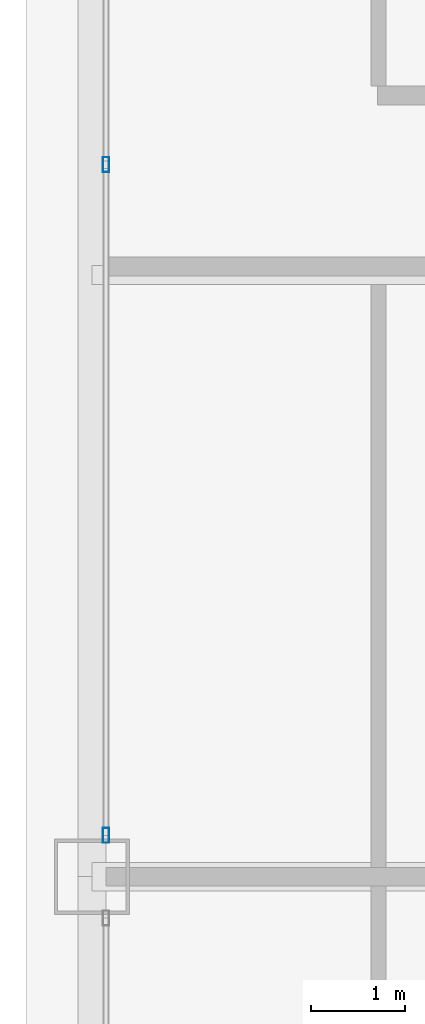
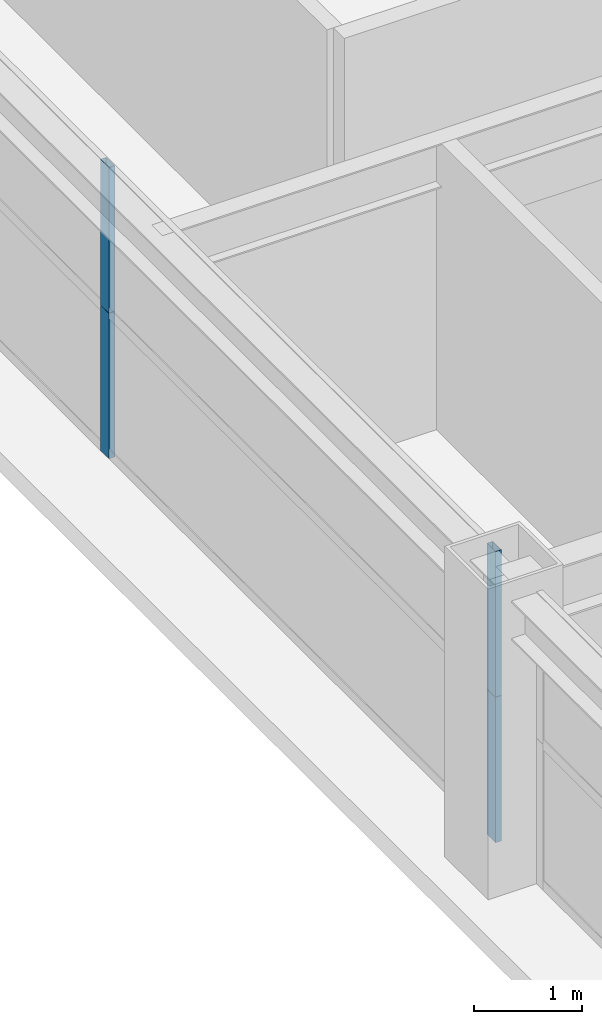
# One storey, part 18 of 45: 4 members, 1 element without a shape of its own.
"""IFC4 building model written with IfcOpenShell, lengths in metres."""

from ifc_helpers import new_model, si_unit, direction, frame, origin, origin_2d, place, context, subcontext, project, spatial, hollow_rectangle, extrude, source, transform, mapped, material, layer, layer_set, material_profile, profile_set, type_object, element, aggregate, save


model = new_model("IFC4")

# Units and contexts
model_context = context("Model", 3, precision=1e-05, world=origin(), true_north=direction((0.0, 1.0)))
body_context = subcontext(model_context, "Body", "Model", "MODEL_VIEW")
ifc_project = project(units=[si_unit("LENGTHUNIT", "METRE"), si_unit("AREAUNIT", "SQUARE_METRE"), si_unit("VOLUMEUNIT", "CUBIC_METRE"), si_unit("PLANEANGLEUNIT", "RADIAN"), si_unit("MASSUNIT", "GRAM", prefix="KILO"), si_unit("THERMODYNAMICTEMPERATUREUNIT", "KELVIN"), si_unit("POWERUNIT", "WATT")], contexts=[model_context])

# Site, building, storey
site_placement = place(None, origin())
site = spatial("IfcSite", under=ifc_project, at=site_placement, CompositionType="ELEMENT")
building_placement = place(site_placement, origin())
building = spatial("IfcBuilding", under=site, at=building_placement, Name="Yuzanri Waterfront Tower", CompositionType="ELEMENT")
storey_placement = place(building_placement, frame((0.0, 0.0, 198.5)))
storey = spatial("IfcBuildingStorey", under=building, at=storey_placement, Name="L52", CompositionType="ELEMENT", Elevation=198.5)

# Curtain wall, members
ifc_material_1 = material(Name="Anodized Architectural Bronze", Category="metal")
ifc_layer = layer(ifc_material_1, 0.159912109375)
ifc_layer_set = layer_set([ifc_layer], Name="Anodized Architectural Bronze")
curtain_wall_type = type_object("IfcCurtainWallType", Name="Anodized Bronze Mid-Rise Residential Acoustic Unitized Curtain Wall 7200", PredefinedType="NOTDEFINED", material=ifc_layer_set)
curtain_wall_placement = place(storey_placement, origin())
curtain_wall = element("IfcCurtainWall", 1, at=curtain_wall_placement, inside=storey, type_object=curtain_wall_type, Name="L52 Curtain Wall CW-L52-WR", PredefinedType="NOTDEFINED")
ifc_material_2 = material(Name="Anodized Architectural Bronze", Category="metal")
ifc_material_profile = material_profile(ifc_material_2, hollow_rectangle(XDim=0.06494140625, YDim=0.159912109375, WallThickness=0.00341796875, at=origin_2d()), Name="CWM 65x160")
ifc_profile_set = profile_set([ifc_material_profile], Name="Anodized Architectural Bronze")
member_type = type_object("IfcMemberType", Name="Anodized Bronze Upper-Zone Curtain-Wall Mullion 65x160", PredefinedType="MULLION", material=ifc_profile_set)
shared_shape = source(origin(), body_context, "Body", "SweptSolid", [
    extrude(hollow_rectangle(XDim=0.06494140625, YDim=0.159912109375, WallThickness=0.00341796875, at=origin_2d()), origin(), (0.0, 0.0, 1.0), 1.637939453125),
])
member_1_placement = place(storey_placement, frame((15.050048828125, 26.239990234375, 0.0), z_axis=(0.0, 0.0, 1.0), x_axis=(1.0, 0.0, 0.0)))
member_1 = element("IfcMember", 2, at=member_1_placement, type_object=member_type, Name="CW-L52-WR Lower Mullion 00", PredefinedType="MULLION", context=body_context, shape_type="MappedRepresentation", body=[
    mapped(shared_shape, transform((0.0, 0.0, 0.0), scale=1.0)),
])
member_2_placement = place(storey_placement, frame((15.050048828125, 26.239990234375, 1.64208984375), z_axis=(0.0, 0.0, 1.0), x_axis=(1.0, 0.0, 0.0)))
member_2 = element("IfcMember", 3, at=member_2_placement, type_object=member_type, Name="CW-L52-WR Upper Mullion 00", PredefinedType="MULLION", context=body_context, shape_type="MappedRepresentation", body=[
    mapped(shared_shape, transform((0.0, 0.0, 0.0), scale=1.0)),
])
member_3_placement = place(storey_placement, frame((15.050048828125, 33.375, 0.0), z_axis=(0.0, 0.0, 1.0), x_axis=(1.0, 0.0, 0.0)))
member_3 = element("IfcMember", 4, at=member_3_placement, type_object=member_type, Name="CW-L52-WR Lower Mullion 01", PredefinedType="MULLION", context=body_context, shape_type="MappedRepresentation", body=[
    mapped(shared_shape, transform((0.0, 0.0, 0.0), scale=1.0)),
])
member_4_placement = place(storey_placement, frame((15.050048828125, 33.375, 1.64208984375), z_axis=(0.0, 0.0, 1.0), x_axis=(1.0, 0.0, 0.0)))
member_4 = element("IfcMember", 5, at=member_4_placement, type_object=member_type, Name="CW-L52-WR Upper Mullion 01", PredefinedType="MULLION", context=body_context, shape_type="MappedRepresentation", body=[
    mapped(shared_shape, transform((0.0, 0.0, 0.0), scale=1.0)),
])
aggregate(curtain_wall, [member_1, member_2, member_3, member_4])

save(model, "model.ifc")
